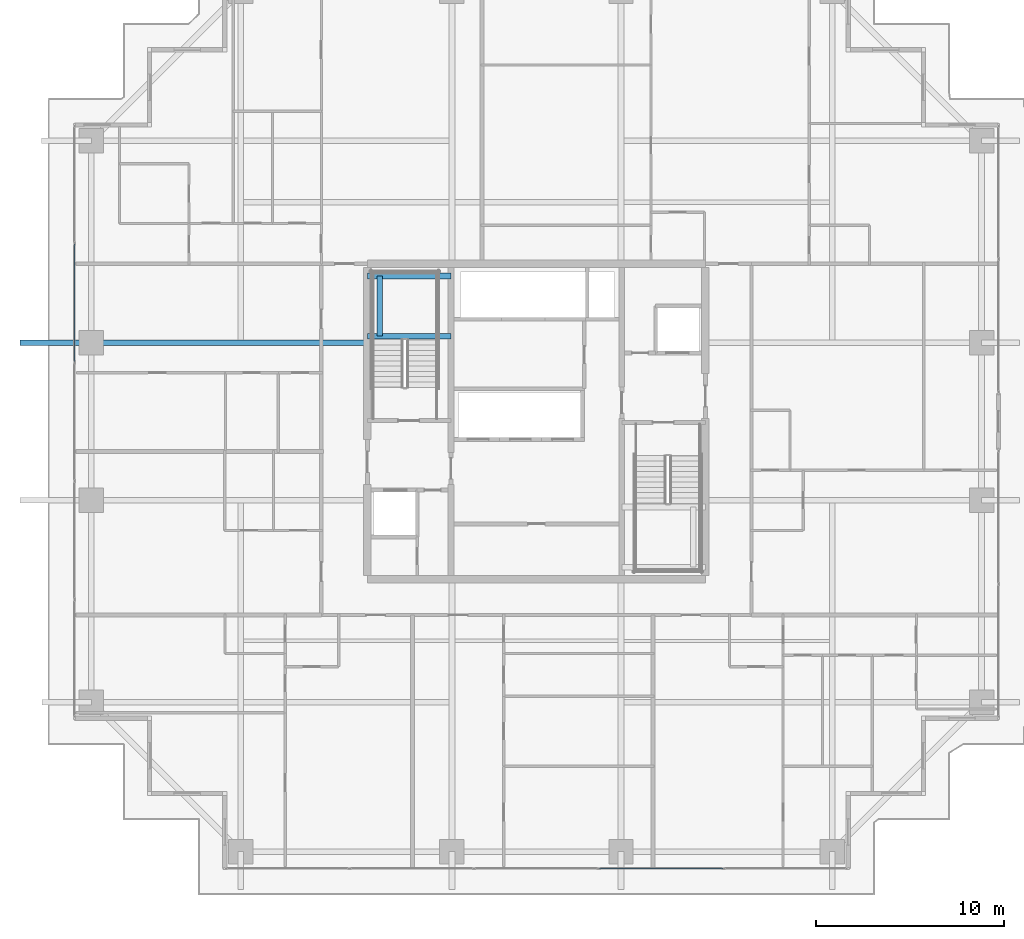
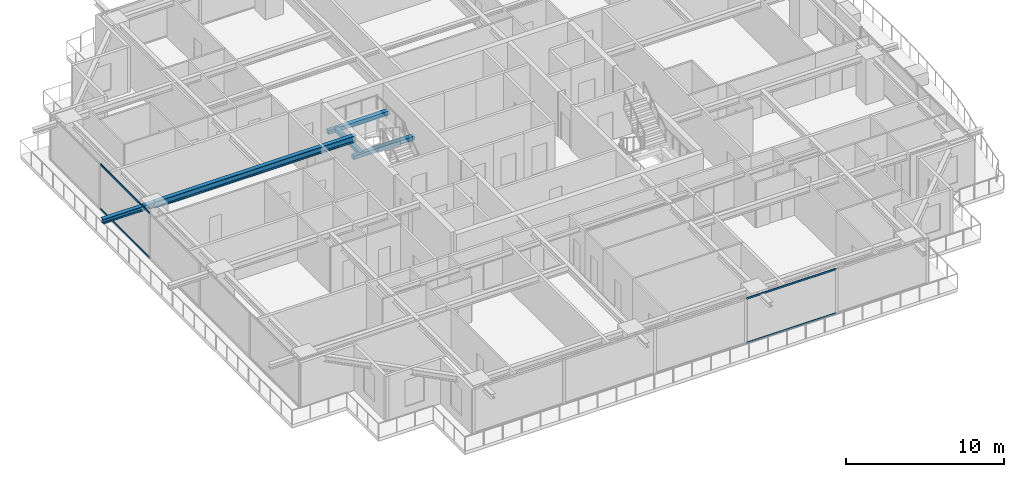
# One storey, part 8 of 33: 5 beams, 4 members, 2 elements without a shape of their own.
"""IFC4 building model written with IfcOpenShell, lengths in metres."""

from ifc_helpers import new_model, si_unit, direction, frame, origin, origin_2d, place, context, subcontext, project, spatial, rectangle, hollow_rectangle, i_section, extrude, source, transform, mapped, material, layer, layer_set, material_profile, profile_set, type_object, element, aggregate, save


model = new_model("IFC4")

# Units and contexts
model_context = context("Model", 3, precision=1e-05, world=origin(), true_north=direction((0.0, 1.0)))
body_context = subcontext(model_context, "Body", "Model", "MODEL_VIEW")
ifc_project = project(units=[si_unit("LENGTHUNIT", "METRE"), si_unit("AREAUNIT", "SQUARE_METRE"), si_unit("VOLUMEUNIT", "CUBIC_METRE"), si_unit("PLANEANGLEUNIT", "RADIAN"), si_unit("MASSUNIT", "GRAM", prefix="KILO")], contexts=[model_context])

# Site, building, storey
site_placement = place(None, origin())
site = spatial("IfcSite", under=ifc_project, at=site_placement, CompositionType="ELEMENT")
building_placement = place(site_placement, origin())
building = spatial("IfcBuilding", under=site, at=building_placement, Name="Serunith Strait Residences", CompositionType="ELEMENT")
storey_placement = place(building_placement, frame((0.0, 0.0, 165.14990234375)))
storey = spatial("IfcBuildingStorey", under=building, at=storey_placement, Name="L41", CompositionType="ELEMENT", Elevation=165.14990234375)

# Beams
ifc_material_1 = material(Name="Steel S355J2", Category="steel")
ifc_material_profile_1 = material_profile(ifc_material_1, i_section(OverallWidth=0.300048828125, OverallDepth=0.5, WebThickness=0.014404296875, FlangeThickness=0.028076171875, FilletRadius=0.027099609375, at=origin_2d()), Name="HEB 500")
ifc_profile_set_1 = profile_set([ifc_material_profile_1], Name="Steel S355J2")
beam_type_1 = type_object("IfcBeamType", Name="BM-HEB500", PredefinedType="BEAM", material=ifc_profile_set_1)
shared_shape_1 = source(origin(), body_context, "Body", "SweptSolid", [
    extrude(i_section(OverallWidth=0.300048828125, OverallDepth=0.5, WebThickness=0.014404296875, FlangeThickness=0.028076171875, FilletRadius=0.027099609375, at=origin_2d()), origin(), (0.0, 0.0, 1.0), 14.699951171875),
])
beam_1_placement = place(storey_placement, frame((23.39990234375, 29.39990234375, 3.237060546875), z_axis=(-1.0, 0.0, 0.0), x_axis=(0.0, -1.0, 0.0)))
element("IfcBeam", 1, at=beam_1_placement, inside=storey, type_object=beam_type_1, Name="L41 Primary Floor Girder TC-W3", PredefinedType="BEAM", context=body_context, shape_type="MappedRepresentation", body=[
    mapped(shared_shape_1, transform((0.0, 0.0, 0.0), scale=1.0)),
])
ifc_material_profile_2 = material_profile(ifc_material_1, i_section(OverallWidth=0.300048828125, OverallDepth=0.360107421875, WebThickness=0.012451171875, FlangeThickness=0.0224609375, FilletRadius=0.027099609375, at=origin_2d()), Name="HEB 360")
ifc_profile_set_2 = profile_set([ifc_material_profile_2], Name="Steel S355J2")
beam_type_2 = type_object("IfcBeamType", Name="BM-HEB360", PredefinedType="BEAM", material=ifc_profile_set_2)
shared_shape_2 = source(origin(), body_context, "Body", "SweptSolid", [
    extrude(i_section(OverallWidth=0.300048828125, OverallDepth=0.360107421875, WebThickness=0.012451171875, FlangeThickness=0.0224609375, FilletRadius=0.027099609375, at=origin_2d()), origin(), (0.0, 0.0, 1.0), 3.800048828125),
])
beam_2_placement = place(storey_placement, frame((8.699951171875, 29.39990234375, 3.277099609375), z_axis=(-1.0, 0.0, 0.0), x_axis=(0.0, -1.0, 0.0)))
element("IfcBeam", 2, at=beam_2_placement, inside=storey, type_object=beam_type_2, Name="L42 Cantilevered Balcony Rib TC-W3", PredefinedType="BEAM", context=body_context, shape_type="MappedRepresentation", body=[
    mapped(shared_shape_2, transform((0.0, 0.0, 0.0), scale=1.0)),
])
ifc_material_2 = material(Name="Concrete C60/75", Category="concrete")
ifc_material_profile_3 = material_profile(ifc_material_2, rectangle(XDim=0.300048828125, YDim=0.300048828125, at=origin_2d()), Name="RC 300x300")
ifc_profile_set_3 = profile_set([ifc_material_profile_3], Name="Concrete C60/75")
beam_type_3 = type_object("IfcBeamType", Name="BM-LAND-300x300", PredefinedType="BEAM", material=ifc_profile_set_3)
shared_shape_3 = source(origin(), body_context, "Body", "SweptSolid", [
    extrude(rectangle(XDim=0.300048828125, YDim=0.300048828125, at=origin_2d()), origin(), (0.0, 0.0, 1.0), 4.4501953125),
])
for number, where, z_axis, x_axis, name in (
    (3, (23.39990234375, 29.75, 1.525146484375), (1.0, 0.0, 0.0), (0.0, 1.0, 0.0), "L41 ST-1 Landing Support Beam 1"),
    (4, (23.39990234375, 32.949951171875, 1.525146484375), (1.0, 0.0, 0.0), (0.0, 1.0, 0.0), "L41 ST-1 Landing Support Beam 2"),
):
    element("IfcBeam", number, at=place(storey_placement, frame(where, z_axis=z_axis, x_axis=x_axis)), inside=storey, type_object=beam_type_3, Name=name, PredefinedType="BEAM", context=body_context, shape_type="MappedRepresentation", body=[
        mapped(shared_shape_3, transform((0.0, 0.0, 0.0), scale=1.0)),
    ])
shared_shape_4 = source(origin(), body_context, "Body", "SweptSolid", [
    extrude(rectangle(XDim=0.300048828125, YDim=0.300048828125, at=origin_2d()), origin(), (0.0, 0.0, 1.0), 3.199951171875),
])
beam_3_placement = place(storey_placement, frame((24.050048828125, 29.75, 1.525146484375), z_axis=(0.0, 1.0, 0.0), x_axis=(-1.0, 0.0, 0.0)))
element("IfcBeam", 5, at=beam_3_placement, inside=storey, type_object=beam_type_3, Name="L41 ST-1 Landing Transverse Tie Beam", PredefinedType="BEAM", context=body_context, shape_type="MappedRepresentation", body=[
    mapped(shared_shape_4, transform((0.0, 0.0, 0.0), scale=1.0)),
])

# Curtain wall, members
ifc_material_3 = material(Name="Pale-Champagne Anodised Aluminium", Category="aluminium")
ifc_layer = layer(ifc_material_3, 0.199951171875, Name="Pale-Champagne Anodised Aluminium")
ifc_layer_set = layer_set([ifc_layer], Name="Pale-Champagne Anodised Aluminium")
curtain_wall_type = type_object("IfcCurtainWallType", Name="CW-SYS2", PredefinedType="NOTDEFINED", material=ifc_layer_set)
curtain_wall_1_placement = place(storey_placement, origin())
curtain_wall_1 = element("IfcCurtainWall", 6, at=curtain_wall_1_placement, inside=storey, type_object=curtain_wall_type, Name="L41 S Unitised Fritted Curtain Wall", PredefinedType="NOTDEFINED")
ifc_material_profile_4 = material_profile(ifc_material_3, hollow_rectangle(XDim=0.06005859375, YDim=0.139892578125, WallThickness=0.00341796875, InnerFilletRadius=0.00537109375, OuterFilletRadius=0.0087890625, at=origin_2d()), Name="ALU 140x60x3.5")
ifc_profile_set_4 = profile_set([ifc_material_profile_4], Name="Pale-Champagne Anodised Aluminium")
member_type = type_object("IfcMemberType", Name="CW-SYS2-TRAN", PredefinedType="USERDEFINED", material=ifc_profile_set_4)
shared_shape_5 = source(origin(), body_context, "Body", "SweptSolid", [
    extrude(hollow_rectangle(XDim=0.06005859375, YDim=0.139892578125, WallThickness=0.00341796875, InnerFilletRadius=0.00537109375, OuterFilletRadius=0.0087890625, at=origin_2d()), origin(), (0.0, 0.0, 1.0), 6.570068359375),
])
member_1_placement = place(storey_placement, frame((35.7548828125, 1.39990234375, 0.030029296875), z_axis=(1.0, 0.0, 0.0), x_axis=(0.0, 1.0, 0.0)))
member_1 = element("IfcMember", 7, at=member_1_placement, type_object=member_type, Name="CW-2 transom 4.1", ObjectType="TRANSOM", PredefinedType="USERDEFINED", context=body_context, shape_type="MappedRepresentation", body=[
    mapped(shared_shape_5, transform((0.0, 0.0, 0.0), scale=1.0)),
])
member_2_placement = place(storey_placement, frame((35.7548828125, 1.39990234375, 3.445068359375), z_axis=(1.0, 0.0, 0.0), x_axis=(0.0, 1.0, 0.0)))
member_2 = element("IfcMember", 8, at=member_2_placement, type_object=member_type, Name="CW-2 transom 4.2", ObjectType="TRANSOM", PredefinedType="USERDEFINED", context=body_context, shape_type="MappedRepresentation", body=[
    mapped(shared_shape_5, transform((0.0, 0.0, 0.0), scale=1.0)),
])
aggregate(curtain_wall_1, [member_1, member_2])

curtain_wall_2_placement = place(storey_placement, origin())
curtain_wall_2 = element("IfcCurtainWall", 9, at=curtain_wall_2_placement, inside=storey, type_object=curtain_wall_type, Name="L41 W Unitised Fritted Curtain Wall", PredefinedType="NOTDEFINED")
shared_shape_6 = source(origin(), body_context, "Body", "SweptSolid", [
    extrude(hollow_rectangle(XDim=0.06005859375, YDim=0.139892578125, WallThickness=0.00341796875, InnerFilletRadius=0.00537109375, OuterFilletRadius=0.0087890625, at=origin_2d()), origin(), (0.0, 0.0, 1.0), 6.25),
])
member_3_placement = place(storey_placement, frame((7.800048828125, 34.64501953125, 0.030029296875), z_axis=(0.0, -1.0, 0.0), x_axis=(1.0, 0.0, 0.0)))
member_3 = element("IfcMember", 10, at=member_3_placement, type_object=member_type, Name="CW-2 transom 2.1", ObjectType="TRANSOM", PredefinedType="USERDEFINED", context=body_context, shape_type="MappedRepresentation", body=[
    mapped(shared_shape_6, transform((0.0, 0.0, 0.0), scale=1.0)),
])
member_4_placement = place(storey_placement, frame((7.800048828125, 34.64501953125, 3.445068359375), z_axis=(0.0, -1.0, 0.0), x_axis=(1.0, 0.0, 0.0)))
member_4 = element("IfcMember", 11, at=member_4_placement, type_object=member_type, Name="CW-2 transom 2.2", ObjectType="TRANSOM", PredefinedType="USERDEFINED", context=body_context, shape_type="MappedRepresentation", body=[
    mapped(shared_shape_6, transform((0.0, 0.0, 0.0), scale=1.0)),
])
aggregate(curtain_wall_2, [member_3, member_4])

save(model, "model.ifc")
